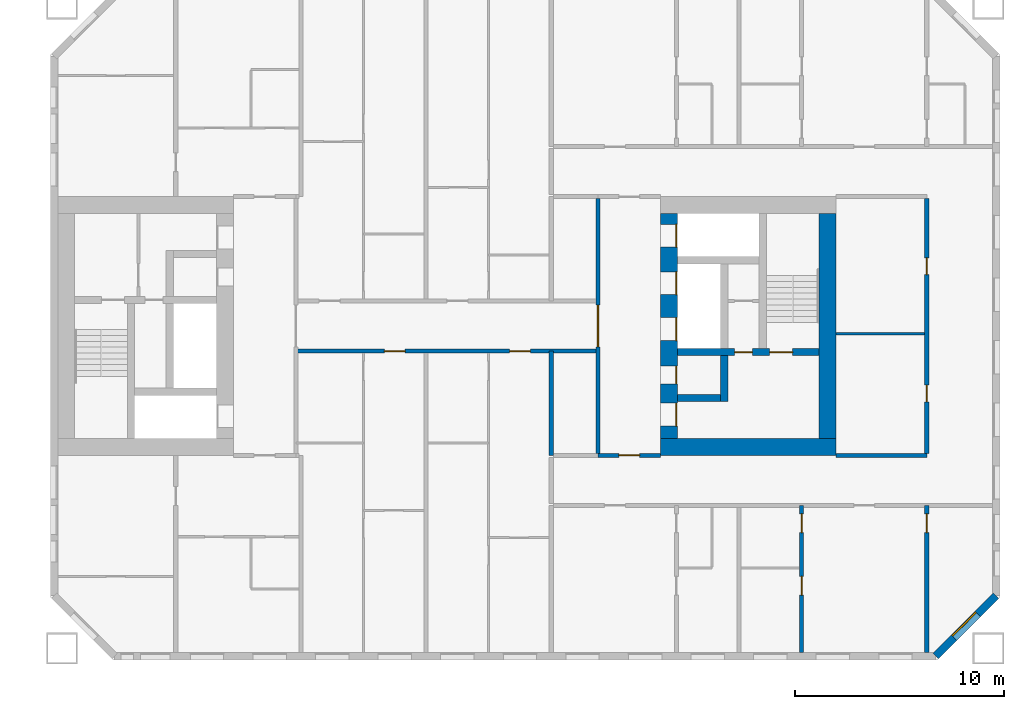
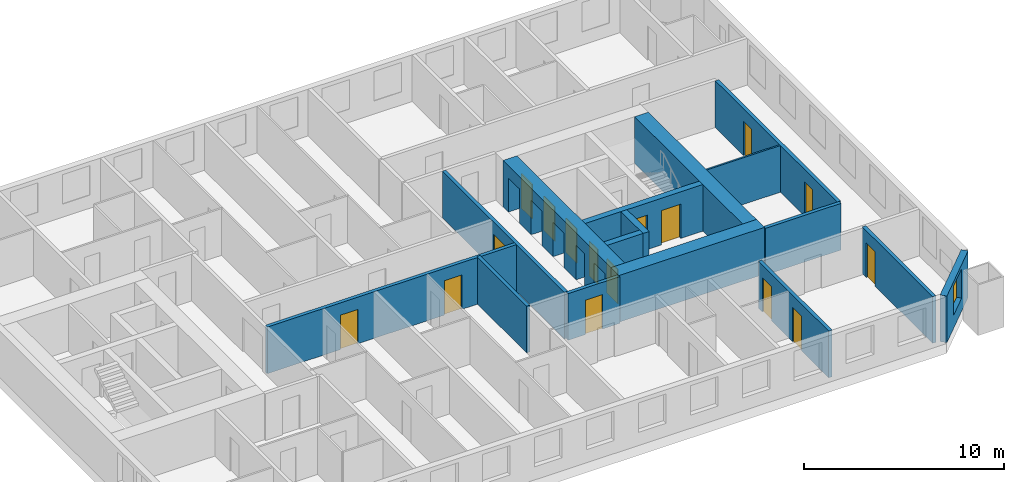
# One storey, part 12 of 17: 16 doors, 16 walls, 1 window, 17 openings.
"""IFC4 building model written with IfcOpenShell, lengths in metres."""

from ifc_helpers import new_model, si_unit, direction, frame, frame_2d, origin, place, context, subcontext, project, spatial, rectangle, extrude, material, layer, layer_set, type_object, element, fill, save


model = new_model("IFC4")

# Units and contexts
model_context = context("Model", 3, precision=1e-05, world=origin(), true_north=direction((0.0, 1.0)))
body_context = subcontext(model_context, "Body", "Model", "MODEL_VIEW")
ifc_project = project(units=[si_unit("LENGTHUNIT", "METRE"), si_unit("AREAUNIT", "SQUARE_METRE"), si_unit("VOLUMEUNIT", "CUBIC_METRE"), si_unit("PLANEANGLEUNIT", "RADIAN"), si_unit("MASSUNIT", "GRAM", prefix="KILO")], contexts=[model_context])

# Site, building, storey
site_placement = place(None, origin())
site = spatial("IfcSite", under=ifc_project, at=site_placement, CompositionType="ELEMENT")
building_placement = place(site_placement, origin())
building = spatial("IfcBuilding", under=site, at=building_placement, Name="Tuart Gate Housing", CompositionType="ELEMENT")
storey_placement = place(building_placement, frame((0.0, 0.0, 44.300048828125)))
storey = spatial("IfcBuildingStorey", under=building, at=storey_placement, Name="L11", CompositionType="ELEMENT", Elevation=44.300048828125)

# Wall, opening, window
ifc_material_1 = material(Name="Brick", Category="masonry")
ifc_layer_1 = layer(ifc_material_1, 0.360107421875)
ifc_layer_set_1 = layer_set([ifc_layer_1], Name="Brick pier and spandrel wall 360")
wall_type_1 = type_object("IfcWallType", Name="Brick pier and spandrel wall 360", PredefinedType="STANDARD", material=ifc_layer_set_1)
wall_1_placement = place(storey_placement, frame((173.42529296875, 54.179931640625, 0.0), z_axis=(0.0, 0.0, 1.0), x_axis=(0.707106781187, 0.707106781187, 0.0)))
wall_1 = element("IfcWall", 1, at=wall_1_placement, inside=storey, type_object=wall_type_1, Name="External wall B-SE L11", PredefinedType="STANDARD", context=body_context, shape_type="SweptSolid", body=[
    extrude(rectangle(XDim=4.09375, YDim=0.360107421875, at=frame_2d((2.046875, 0.0))), origin(), (0.0, 0.0, 1.0), 2.849853515625),
])
opening_1_placement = place(wall_1_placement, frame((1.2470703125, 0.0, 0.800048828125)))
opening_1 = element("IfcOpeningElement", 2, at=opening_1_placement, cuts=wall_1, Name="Opening W1", PredefinedType="OPENING", context=body_context, shape_type="SweptSolid", body=[
    extrude(rectangle(XDim=1.60009765625, YDim=1.800048828125, at=frame_2d((0.800048828125, 0.89990234375))), frame((0.0, 0.18994140625, 0.0), z_axis=(0.0, -1.0, 0.0), x_axis=(1.0, 0.0, 0.0)), (0.0, 0.0, 1.0), 0.380126953125),
])
ifc_material_2 = material(Name="Aluminium frame with clear glass", Category="aluminium")
window_type = type_object("IfcWindowType", Name="Punched window 1600 x 1800", PartitioningType="SINGLE_PANEL", PredefinedType="WINDOW", material=ifc_material_2)
window_placement = place(opening_1_placement, origin())
window = element("IfcWindow", 3, at=window_placement, inside=storey, type_object=window_type, Name="Window W1", OverallHeight=1.800048828125, OverallWidth=1.60009765625, PartitioningType="SINGLE_PANEL", PredefinedType="WINDOW", context=body_context, shape_type="SweptSolid", body=[
    extrude(rectangle(XDim=1.60009765625, YDim=1.800048828125, at=frame_2d((0.800048828125, 0.89990234375))), frame((0.0, 0.150146484375, 0.0), z_axis=(0.0, -1.0, 0.0), x_axis=(1.0, 0.0, 0.0)), (0.0, 0.0, 1.0), 0.06005859375),
])
fill(opening_1, window)

# Wall, openings, doors
ifc_material_3 = material(Name="Concrete C60", Category="concrete")
ifc_layer_2 = layer(ifc_material_3, 0.35009765625)
ifc_layer_set_2 = layer_set([ifc_layer_2], Name="Core wall 350 C60")
wall_type_2 = type_object("IfcWallType", Name="Core wall 350 C60", PredefinedType="SHEAR", material=ifc_layer_set_2)
wall_2_placement = place(storey_placement, frame((161.0400390625, 68.75, 0.0), z_axis=(0.0, 0.0, 1.0), x_axis=(1.0, 0.0, 0.0)))
wall_2 = element("IfcWall", 4, at=wall_2_placement, inside=storey, type_object=wall_type_2, Name="Core wall BK.3", PredefinedType="SHEAR", context=body_context, shape_type="SweptSolid", body=[
    extrude(rectangle(XDim=6.800048828125, YDim=0.35009765625, at=frame_2d((3.39990234375, 0.0))), origin(), (0.0, 0.0, 1.0), 2.849853515625),
])
opening_2_placement = place(wall_2_placement, frame((4.425048828125, 0.0, 0.0)))
opening_2 = element("IfcOpeningElement", 5, at=opening_2_placement, cuts=wall_2, Name="Opening D693", PredefinedType="OPENING", context=body_context, shape_type="SweptSolid", body=[
    extrude(rectangle(XDim=1.10009765625, YDim=2.10009765625, at=frame_2d((0.550048828125, 1.050048828125))), frame((0.0, 0.18505859375, 0.0), z_axis=(0.0, -1.0, 0.0), x_axis=(1.0, 0.0, 0.0)), (0.0, 0.0, 1.0), 0.3701171875),
])
opening_3_placement = place(wall_2_placement, frame((2.75, 0.0, 0.0)))
opening_3 = element("IfcOpeningElement", 6, at=opening_3_placement, cuts=wall_2, Name="Opening D692", PredefinedType="OPENING", context=body_context, shape_type="SweptSolid", body=[
    extrude(rectangle(XDim=0.85009765625, YDim=2.10009765625, at=frame_2d((0.425048828125, 1.050048828125))), frame((0.0, 0.18505859375, 0.0), z_axis=(0.0, -1.0, 0.0), x_axis=(1.0, 0.0, 0.0)), (0.0, 0.0, 1.0), 0.3701171875),
])
ifc_material_4 = material(Name="Steel fire door", Category="steel")
door_type_1 = type_object("IfcDoorType", Name="Riser door 850 x 2100", OperationType="SINGLE_SWING_LEFT", PredefinedType="DOOR", material=ifc_material_4)
door_1_placement = place(opening_3_placement, origin())
door_1 = element("IfcDoor", 7, at=door_1_placement, inside=storey, type_object=door_type_1, Name="Service room door BK.W1", OperationType="SINGLE_SWING_LEFT", OverallHeight=2.10009765625, OverallWidth=0.85009765625, PredefinedType="DOOR", context=body_context, shape_type="SweptSolid", body=[
    extrude(rectangle(XDim=0.85009765625, YDim=2.10009765625, at=frame_2d((0.425048828125, 1.050048828125))), frame((0.0, 0.02490234375, 0.0), z_axis=(0.0, -1.0, 0.0), x_axis=(1.0, 0.0, 0.0)), (0.0, 0.0, 1.0), 0.050048828125),
])
fill(opening_3, door_1)
ifc_material_5 = material(Name="Steel fire door", Category="steel")
door_type_2 = type_object("IfcDoorType", Name="Stair door 1100 x 2100", OperationType="SINGLE_SWING_LEFT", PredefinedType="DOOR", material=ifc_material_5)
door_2_placement = place(opening_2_placement, origin())
door_2 = element("IfcDoor", 8, at=door_2_placement, inside=storey, type_object=door_type_2, Name="Stair door BK.SD", OperationType="SINGLE_SWING_LEFT", OverallHeight=2.10009765625, OverallWidth=1.10009765625, PredefinedType="DOOR", context=body_context, shape_type="SweptSolid", body=[
    extrude(rectangle(XDim=1.10009765625, YDim=2.10009765625, at=frame_2d((0.550048828125, 1.050048828125))), frame((0.0, 0.02490234375, 0.0), z_axis=(0.0, -1.0, 0.0), x_axis=(1.0, 0.0, 0.0)), (0.0, 0.0, 1.0), 0.050048828125),
])
fill(opening_2, door_2)

# Walls
wall_3_placement = place(storey_placement, frame((161.0400390625, 66.550048828125, 0.0), z_axis=(0.0, 0.0, 1.0), x_axis=(1.0, 0.0, 0.0)))
element("IfcWall", 9, at=wall_3_placement, inside=storey, type_object=wall_type_2, Name="Core wall BK.4", PredefinedType="SHEAR", context=body_context, shape_type="SweptSolid", body=[
    extrude(rectangle(XDim=2.074951171875, YDim=0.35009765625, at=frame_2d((1.03759765625, 0.0))), origin(), (0.0, 0.0, 1.0), 2.849853515625),
])
wall_4_placement = place(storey_placement, frame((163.2900390625, 68.574951171875, 0.0), z_axis=(0.0, 0.0, 1.0), x_axis=(0.0, -1.0, 0.0)))
element("IfcWall", 10, at=wall_4_placement, inside=storey, type_object=wall_type_2, Name="Core wall BK.6", PredefinedType="SHEAR", context=body_context, shape_type="SweptSolid", body=[
    extrude(rectangle(XDim=2.199951171875, YDim=0.35009765625, at=frame_2d((1.10009765625, 0.0))), origin(), (0.0, 0.0, 1.0), 2.849853515625),
])

# Wall, openings, doors
ifc_material_6 = material(Name="Concrete C60", Category="concrete")
ifc_layer_3 = layer(ifc_material_6, 0.800048828125)
ifc_layer_set_3 = layer_set([ifc_layer_3], Name="Core wall 800 C60")
wall_type_3 = type_object("IfcWallType", Name="Core wall 800 C60", PredefinedType="SHEAR", material=ifc_layer_set_3)
wall_5_placement = place(storey_placement, frame((160.639892578125, 75.39990234375, 0.0), z_axis=(0.0, 0.0, 1.0), x_axis=(0.0, -1.0, 0.0)))
wall_5 = element("IfcWall", 11, at=wall_5_placement, inside=storey, type_object=wall_type_3, Name="Core wall BK front", PredefinedType="SHEAR", context=body_context, shape_type="SweptSolid", body=[
    extrude(rectangle(XDim=10.7998046875, YDim=0.800048828125, at=frame_2d((5.39990234375, 0.0))), origin(), (0.0, 0.0, 1.0), 2.849853515625),
])
opening_4_placement = place(wall_5_placement, frame((0.52490234375, 0.0, 0.0)))
opening_4 = element("IfcOpeningElement", 12, at=opening_4_placement, cuts=wall_5, Name="Opening LD-FB2", PredefinedType="OPENING", context=body_context, shape_type="SweptSolid", body=[
    extrude(rectangle(XDim=1.10009765625, YDim=2.10009765625, at=frame_2d((0.550048828125, 1.050048828125))), frame((0.0, 0.409912109375, 0.0), z_axis=(0.0, -1.0, 0.0), x_axis=(1.0, 0.0, 0.0)), (0.0, 0.0, 1.0), 0.820068359375),
])
opening_5_placement = place(wall_5_placement, frame((2.800048828125, 0.0, 0.0)))
opening_5 = element("IfcOpeningElement", 13, at=opening_5_placement, cuts=wall_5, Name="Opening LD-LB3", PredefinedType="OPENING", context=body_context, shape_type="SweptSolid", body=[
    extrude(rectangle(XDim=1.10009765625, YDim=2.10009765625, at=frame_2d((0.550048828125, 1.050048828125))), frame((0.0, 0.409912109375, 0.0), z_axis=(0.0, -1.0, 0.0), x_axis=(1.0, 0.0, 0.0)), (0.0, 0.0, 1.0), 0.820068359375),
])
opening_6_placement = place(wall_5_placement, frame((5.0, 0.0, 0.0)))
opening_6 = element("IfcOpeningElement", 14, at=opening_6_placement, cuts=wall_5, Name="Opening LD-LB4", PredefinedType="OPENING", context=body_context, shape_type="SweptSolid", body=[
    extrude(rectangle(XDim=1.10009765625, YDim=2.10009765625, at=frame_2d((0.550048828125, 1.050048828125))), frame((0.0, 0.409912109375, 0.0), z_axis=(0.0, -1.0, 0.0), x_axis=(1.0, 0.0, 0.0)), (0.0, 0.0, 1.0), 0.820068359375),
])
opening_7_placement = place(wall_5_placement, frame((9.10009765625, 0.0, 0.0)))
opening_7 = element("IfcOpeningElement", 15, at=opening_7_placement, cuts=wall_5, Name="Opening D686", PredefinedType="OPENING", context=body_context, shape_type="SweptSolid", body=[
    extrude(rectangle(XDim=1.10009765625, YDim=2.10009765625, at=frame_2d((0.550048828125, 1.050048828125))), frame((0.0, 0.409912109375, 0.0), z_axis=(0.0, -1.0, 0.0), x_axis=(1.0, 0.0, 0.0)), (0.0, 0.0, 1.0), 0.820068359375),
])
opening_8_placement = place(wall_5_placement, frame((7.324951171875, 0.0, 0.0)))
opening_8 = element("IfcOpeningElement", 16, at=opening_8_placement, cuts=wall_5, Name="Opening D687", PredefinedType="OPENING", context=body_context, shape_type="SweptSolid", body=[
    extrude(rectangle(XDim=0.85009765625, YDim=2.10009765625, at=frame_2d((0.425048828125, 1.050048828125))), frame((0.0, 0.409912109375, 0.0), z_axis=(0.0, -1.0, 0.0), x_axis=(1.0, 0.0, 0.0)), (0.0, 0.0, 1.0), 0.820068359375),
])
ifc_material_7 = material(Name="Stainless steel", Category="steel")
door_type_3 = type_object("IfcDoorType", Name="Landing door 1100 x 2100", OperationType="DOUBLE_DOOR_SLIDING", PredefinedType="DOOR", material=ifc_material_7)
door_3_placement = place(opening_4_placement, origin())
door_3 = element("IfcDoor", 17, at=door_3_placement, inside=storey, type_object=door_type_3, Name="Lift landing door FB2", OperationType="DOUBLE_DOOR_SLIDING", OverallHeight=2.10009765625, OverallWidth=1.10009765625, PredefinedType="DOOR", context=body_context, shape_type="SweptSolid", body=[
    extrude(rectangle(XDim=1.10009765625, YDim=2.10009765625, at=frame_2d((0.550048828125, 1.050048828125))), frame((0.0, 0.38525390625, 0.0), z_axis=(0.0, -1.0, 0.0), x_axis=(1.0, 0.0, 0.0)), (0.0, 0.0, 1.0), 0.050048828125),
])
fill(opening_4, door_3)
door_4_placement = place(opening_5_placement, origin())
door_4 = element("IfcDoor", 18, at=door_4_placement, inside=storey, type_object=door_type_3, Name="Lift landing door LB3", OperationType="DOUBLE_DOOR_SLIDING", OverallHeight=2.10009765625, OverallWidth=1.10009765625, PredefinedType="DOOR", context=body_context, shape_type="SweptSolid", body=[
    extrude(rectangle(XDim=1.10009765625, YDim=2.10009765625, at=frame_2d((0.550048828125, 1.050048828125))), frame((0.0, 0.38525390625, 0.0), z_axis=(0.0, -1.0, 0.0), x_axis=(1.0, 0.0, 0.0)), (0.0, 0.0, 1.0), 0.050048828125),
])
fill(opening_5, door_4)
door_5_placement = place(opening_6_placement, origin())
door_5 = element("IfcDoor", 19, at=door_5_placement, inside=storey, type_object=door_type_3, Name="Lift landing door LB4", OperationType="DOUBLE_DOOR_SLIDING", OverallHeight=2.10009765625, OverallWidth=1.10009765625, PredefinedType="DOOR", context=body_context, shape_type="SweptSolid", body=[
    extrude(rectangle(XDim=1.10009765625, YDim=2.10009765625, at=frame_2d((0.550048828125, 1.050048828125))), frame((0.0, 0.38525390625, 0.0), z_axis=(0.0, -1.0, 0.0), x_axis=(1.0, 0.0, 0.0)), (0.0, 0.0, 1.0), 0.050048828125),
])
fill(opening_6, door_5)
ifc_material_8 = material(Name="Steel fire door", Category="steel")
door_type_4 = type_object("IfcDoorType", Name="Lobby door 1100 x 2100", OperationType="SINGLE_SWING_LEFT", PredefinedType="DOOR", material=ifc_material_8)
door_6_placement = place(opening_7_placement, origin())
door_6 = element("IfcDoor", 20, at=door_6_placement, inside=storey, type_object=door_type_4, Name="Lobby entry door BK.EN", OperationType="SINGLE_SWING_LEFT", OverallHeight=2.10009765625, OverallWidth=1.10009765625, PredefinedType="DOOR", context=body_context, shape_type="SweptSolid", body=[
    extrude(rectangle(XDim=1.10009765625, YDim=2.10009765625, at=frame_2d((0.550048828125, 1.050048828125))), frame((0.0, 0.38525390625, 0.0), z_axis=(0.0, -1.0, 0.0), x_axis=(1.0, 0.0, 0.0)), (0.0, 0.0, 1.0), 0.050048828125),
])
fill(opening_7, door_6)
ifc_material_9 = material(Name="Steel fire door", Category="steel")
door_type_5 = type_object("IfcDoorType", Name="Service door 850 x 2100", OperationType="SINGLE_SWING_LEFT", PredefinedType="DOOR", material=ifc_material_9)
door_7_placement = place(opening_8_placement, origin())
door_7 = element("IfcDoor", 21, at=door_7_placement, inside=storey, type_object=door_type_5, Name="Service room door BK.T1", OperationType="SINGLE_SWING_LEFT", OverallHeight=2.10009765625, OverallWidth=0.85009765625, PredefinedType="DOOR", context=body_context, shape_type="SweptSolid", body=[
    extrude(rectangle(XDim=0.85009765625, YDim=2.10009765625, at=frame_2d((0.425048828125, 1.050048828125))), frame((0.0, 0.38525390625, 0.0), z_axis=(0.0, -1.0, 0.0), x_axis=(1.0, 0.0, 0.0)), (0.0, 0.0, 1.0), 0.050048828125),
])
fill(opening_8, door_7)

# Walls
wall_6_placement = place(storey_placement, frame((168.239990234375, 75.39990234375, 0.0), z_axis=(0.0, 0.0, 1.0), x_axis=(0.0, -1.0, 0.0)))
element("IfcWall", 22, at=wall_6_placement, inside=storey, type_object=wall_type_3, Name="Core wall BK back", PredefinedType="SHEAR", context=body_context, shape_type="SweptSolid", body=[
    extrude(rectangle(XDim=10.7998046875, YDim=0.800048828125, at=frame_2d((5.39990234375, 0.0))), origin(), (0.0, 0.0, 1.0), 2.849853515625),
])
wall_7_placement = place(storey_placement, frame((160.239990234375, 64.199951171875, 0.0), z_axis=(0.0, 0.0, 1.0), x_axis=(1.0, 0.0, 0.0)))
element("IfcWall", 23, at=wall_7_placement, inside=storey, type_object=wall_type_3, Name="Core wall BK north", PredefinedType="SHEAR", context=body_context, shape_type="SweptSolid", body=[
    extrude(rectangle(XDim=8.39990234375, YDim=0.800048828125, at=frame_2d((4.199951171875, 0.0))), origin(), (0.0, 0.0, 1.0), 2.849853515625),
])
ifc_material_10 = material(Name="Concrete masonry 15 MPa", Category="masonry")
ifc_layer_4 = layer(ifc_material_10, 0.199951171875)
ifc_layer_set_4 = layer_set([ifc_layer_4], Name="Corridor wall masonry 200")
wall_type_4 = type_object("IfcWallType", Name="Corridor wall masonry 200", PredefinedType="PARTITIONING", material=ifc_layer_set_4)
wall_8_placement = place(storey_placement, frame((168.639892578125, 63.800048828125, 0.0), z_axis=(0.0, 0.0, 1.0), x_axis=(1.0, 0.0, 0.0)))
element("IfcWall", 24, at=wall_8_placement, inside=storey, type_object=wall_type_4, Name="Corridor wall masonry 200", PredefinedType="PARTITIONING", context=body_context, shape_type="SweptSolid", body=[
    extrude(rectangle(XDim=4.360107421875, YDim=0.199951171875, at=frame_2d((2.18017578125, 0.0))), origin(), (0.0, 0.0, 1.0), 2.849853515625),
])

# Wall, openings, doors
wall_9_placement = place(storey_placement, frame((142.760009765625, 68.800048828125, 0.0), z_axis=(0.0, 0.0, 1.0), x_axis=(1.0, 0.0, 0.0)))
wall_9 = element("IfcWall", 25, at=wall_9_placement, inside=storey, type_object=wall_type_4, Name="Corridor wall masonry 200", PredefinedType="PARTITIONING", context=body_context, shape_type="SweptSolid", body=[
    extrude(rectangle(XDim=14.47998046875, YDim=0.199951171875, at=frame_2d((7.239990234375, 0.0))), origin(), (0.0, 0.0, 1.0), 2.849853515625),
])
opening_9_placement = place(wall_9_placement, frame((4.239990234375, 0.0, 0.0)))
opening_9 = element("IfcOpeningElement", 26, at=opening_9_placement, cuts=wall_9, Name="Opening D690", PredefinedType="OPENING", context=body_context, shape_type="SweptSolid", body=[
    extrude(rectangle(XDim=1.0, YDim=2.10009765625, at=frame_2d((0.5, 1.050048828125))), frame((0.0, 0.10986328125, 0.0), z_axis=(0.0, -1.0, 0.0), x_axis=(1.0, 0.0, 0.0)), (0.0, 0.0, 1.0), 0.219970703125),
])
opening_10_placement = place(wall_9_placement, frame((10.239990234375, 0.0, 0.0)))
opening_10 = element("IfcOpeningElement", 27, at=opening_10_placement, cuts=wall_9, Name="Opening D691", PredefinedType="OPENING", context=body_context, shape_type="SweptSolid", body=[
    extrude(rectangle(XDim=1.0, YDim=2.10009765625, at=frame_2d((0.5, 1.050048828125))), frame((0.0, 0.10986328125, 0.0), z_axis=(0.0, -1.0, 0.0), x_axis=(1.0, 0.0, 0.0)), (0.0, 0.0, 1.0), 0.219970703125),
])
ifc_material_11 = material(Name="Timber door leaf in steel frame", Category="steel")
door_type_6 = type_object("IfcDoorType", Name="Flat entrance door 1000 RH", OperationType="SINGLE_SWING_RIGHT", PredefinedType="DOOR", material=ifc_material_11)
door_8_placement = place(opening_9_placement, frame((1.0, 0.0, 0.0), z_axis=(0.0, 0.0, 1.0), x_axis=(-1.0, 0.0, 0.0)))
door_8 = element("IfcDoor", 28, at=door_8_placement, inside=storey, type_object=door_type_6, Name="Flat entrance door", OperationType="SINGLE_SWING_RIGHT", OverallHeight=2.10009765625, OverallWidth=1.0, PredefinedType="DOOR", context=body_context, shape_type="SweptSolid", body=[
    extrude(rectangle(XDim=1.0, YDim=2.10009765625, at=frame_2d((0.5, 1.050048828125))), frame((0.0, 0.025146484375, 0.0), z_axis=(0.0, -1.0, 0.0), x_axis=(1.0, 0.0, 0.0)), (0.0, 0.0, 1.0), 0.050048828125),
])
fill(opening_9, door_8)
door_9_placement = place(opening_10_placement, frame((1.0, 0.0, 0.0), z_axis=(0.0, 0.0, 1.0), x_axis=(-1.0, 0.0, 0.0)))
door_9 = element("IfcDoor", 29, at=door_9_placement, inside=storey, type_object=door_type_6, Name="Flat entrance door", OperationType="SINGLE_SWING_RIGHT", OverallHeight=2.10009765625, OverallWidth=1.0, PredefinedType="DOOR", context=body_context, shape_type="SweptSolid", body=[
    extrude(rectangle(XDim=1.0, YDim=2.10009765625, at=frame_2d((0.5, 1.050048828125))), frame((0.0, 0.025146484375, 0.0), z_axis=(0.0, -1.0, 0.0), x_axis=(1.0, 0.0, 0.0)), (0.0, 0.0, 1.0), 0.050048828125),
])
fill(opening_10, door_9)

wall_10_placement = place(storey_placement, frame((173.0, 63.89990234375, 0.0), z_axis=(0.0, 0.0, 1.0), x_axis=(0.0, 1.0, 0.0)))
wall_10 = element("IfcWall", 30, at=wall_10_placement, inside=storey, type_object=wall_type_4, Name="Corridor wall masonry 200", PredefinedType="PARTITIONING", context=body_context, shape_type="SweptSolid", body=[
    extrude(rectangle(XDim=12.2001953125, YDim=0.199951171875, at=frame_2d((6.10009765625, 0.0))), origin(), (0.0, 0.0, 1.0), 2.849853515625),
])
opening_11_placement = place(wall_10_placement, frame((2.465087890625, 0.0, 0.0)))
opening_11 = element("IfcOpeningElement", 31, at=opening_11_placement, cuts=wall_10, Name="Opening D688", PredefinedType="OPENING", context=body_context, shape_type="SweptSolid", body=[
    extrude(rectangle(XDim=0.800048828125, YDim=2.10009765625, at=frame_2d((0.39990234375, 1.050048828125))), frame((0.0, 0.10986328125, 0.0), z_axis=(0.0, -1.0, 0.0), x_axis=(1.0, 0.0, 0.0)), (0.0, 0.0, 1.0), 0.219970703125),
])
opening_12_placement = place(wall_10_placement, frame((8.56494140625, 0.0, 0.0)))
opening_12 = element("IfcOpeningElement", 32, at=opening_12_placement, cuts=wall_10, Name="Opening D689", PredefinedType="OPENING", context=body_context, shape_type="SweptSolid", body=[
    extrude(rectangle(XDim=0.800048828125, YDim=2.10009765625, at=frame_2d((0.39990234375, 1.050048828125))), frame((0.0, 0.10986328125, 0.0), z_axis=(0.0, -1.0, 0.0), x_axis=(1.0, 0.0, 0.0)), (0.0, 0.0, 1.0), 0.219970703125),
])
ifc_material_12 = material(Name="Timber door leaf in steel frame", Category="steel")
door_type_7 = type_object("IfcDoorType", Name="Store door 800", OperationType="SINGLE_SWING_LEFT", PredefinedType="DOOR", material=ifc_material_12)
door_10_placement = place(opening_12_placement, origin())
door_10 = element("IfcDoor", 33, at=door_10_placement, inside=storey, type_object=door_type_7, Name="Store door", OperationType="SINGLE_SWING_LEFT", OverallHeight=2.10009765625, OverallWidth=0.800048828125, PredefinedType="DOOR", context=body_context, shape_type="SweptSolid", body=[
    extrude(rectangle(XDim=0.800048828125, YDim=2.10009765625, at=frame_2d((0.39990234375, 1.050048828125))), frame((0.0, 0.02490234375, 0.0), z_axis=(0.0, -1.0, 0.0), x_axis=(1.0, 0.0, 0.0)), (0.0, 0.0, 1.0), 0.050048828125),
])
fill(opening_12, door_10)
ifc_material_13 = material(Name="Timber door leaf in steel frame", Category="steel")
door_type_8 = type_object("IfcDoorType", Name="Store door 800 RH", OperationType="SINGLE_SWING_RIGHT", PredefinedType="DOOR", material=ifc_material_13)
door_11_placement = place(opening_11_placement, origin())
door_11 = element("IfcDoor", 34, at=door_11_placement, inside=storey, type_object=door_type_8, Name="Store door", OperationType="SINGLE_SWING_RIGHT", OverallHeight=2.10009765625, OverallWidth=0.800048828125, PredefinedType="DOOR", context=body_context, shape_type="SweptSolid", body=[
    extrude(rectangle(XDim=0.800048828125, YDim=2.10009765625, at=frame_2d((0.39990234375, 1.050048828125))), frame((0.0, 0.02490234375, 0.0), z_axis=(0.0, -1.0, 0.0), x_axis=(1.0, 0.0, 0.0)), (0.0, 0.0, 1.0), 0.050048828125),
])
fill(opening_11, door_11)

# Wall, opening, door
ifc_material_14 = material(Name="Concrete masonry 15 MPa", Category="masonry")
ifc_layer_5 = layer(ifc_material_14, 0.199951171875)
ifc_layer_set_5 = layer_set([ifc_layer_5], Name="Enclosure wall masonry 200")
wall_type_5 = type_object("IfcWallType", Name="Enclosure wall masonry 200", PredefinedType="PARTITIONING", material=ifc_layer_set_5)
wall_11_placement = place(storey_placement, frame((157.239990234375, 63.800048828125, 0.0), z_axis=(0.0, 0.0, 1.0), x_axis=(1.0, 0.0, 0.0)))
wall_11 = element("IfcWall", 35, at=wall_11_placement, inside=storey, type_object=wall_type_5, Name="Enclosure wall masonry 200", PredefinedType="PARTITIONING", context=body_context, shape_type="SweptSolid", body=[
    extrude(rectangle(XDim=3.0, YDim=0.199951171875, at=frame_2d((1.5, 0.0))), origin(), (0.0, 0.0, 1.0), 2.849853515625),
])
opening_13_placement = place(wall_11_placement, frame((1.0, 0.0, 0.0)))
opening_13 = element("IfcOpeningElement", 36, at=opening_13_placement, cuts=wall_11, Name="Opening D695", PredefinedType="OPENING", context=body_context, shape_type="SweptSolid", body=[
    extrude(rectangle(XDim=1.0, YDim=2.10009765625, at=frame_2d((0.5, 1.050048828125))), frame((0.0, 0.10986328125, 0.0), z_axis=(0.0, -1.0, 0.0), x_axis=(1.0, 0.0, 0.0)), (0.0, 0.0, 1.0), 0.219970703125),
])
ifc_material_15 = material(Name="Timber door leaf in steel frame", Category="steel")
door_type_9 = type_object("IfcDoorType", Name="Fire door 1000 RH", OperationType="SINGLE_SWING_RIGHT", PredefinedType="DOOR", material=ifc_material_15)
door_12_placement = place(opening_13_placement, frame((1.0, 0.0, 0.0), z_axis=(0.0, 0.0, 1.0), x_axis=(-1.0, 0.0, 0.0)))
door_12 = element("IfcDoor", 37, at=door_12_placement, inside=storey, type_object=door_type_9, Name="Fire door", OperationType="SINGLE_SWING_RIGHT", OverallHeight=2.10009765625, OverallWidth=1.0, PredefinedType="DOOR", context=body_context, shape_type="SweptSolid", body=[
    extrude(rectangle(XDim=1.0, YDim=2.10009765625, at=frame_2d((0.5, 1.050048828125))), frame((0.0, 0.025146484375, 0.0), z_axis=(0.0, -1.0, 0.0), x_axis=(1.0, 0.0, 0.0)), (0.0, 0.0, 1.0), 0.050048828125),
])
fill(opening_13, door_12)

ifc_material_16 = material(Name="Plasterboard partition")
ifc_layer_6 = layer(ifc_material_16, 0.199951171875)
ifc_layer_set_6 = layer_set([ifc_layer_6], Name="Lobby wall 200")
wall_type_6 = type_object("IfcWallType", Name="Lobby wall 200", PredefinedType="PARTITIONING", material=ifc_layer_set_6)
wall_12_placement = place(storey_placement, frame((157.239990234375, 63.89990234375, 0.0), z_axis=(0.0, 0.0, 1.0), x_axis=(0.0, 1.0, 0.0)))
wall_12 = element("IfcWall", 38, at=wall_12_placement, inside=storey, type_object=wall_type_6, Name="Lift lobby wall BK", PredefinedType="PARTITIONING", context=body_context, shape_type="SweptSolid", body=[
    extrude(rectangle(XDim=12.2001953125, YDim=0.199951171875, at=frame_2d((6.10009765625, 0.0))), origin(), (0.0, 0.0, 1.0), 2.849853515625),
])
opening_14_placement = place(wall_12_placement, frame((5.10009765625, 0.0, 0.0)))
opening_14 = element("IfcOpeningElement", 39, at=opening_14_placement, cuts=wall_12, Name="Opening D685", PredefinedType="OPENING", context=body_context, shape_type="SweptSolid", body=[
    extrude(rectangle(XDim=2.0, YDim=2.10009765625, at=frame_2d((1.0, 1.050048828125))), frame((0.0, 0.10986328125, 0.0), z_axis=(0.0, -1.0, 0.0), x_axis=(1.0, 0.0, 0.0)), (0.0, 0.0, 1.0), 0.219970703125),
])
ifc_material_17 = material(Name="Steel fire door", Category="steel")
door_type_10 = type_object("IfcDoorType", Name="Smoke door 2000 x 2100", OperationType="DOUBLE_DOOR_SINGLE_SWING", PredefinedType="DOOR", material=ifc_material_17)
door_13_placement = place(opening_14_placement, frame((2.0, 0.0, 0.0), z_axis=(0.0, 0.0, 1.0), x_axis=(-1.0, 0.0, 0.0)))
door_13 = element("IfcDoor", 40, at=door_13_placement, inside=storey, type_object=door_type_10, Name="Lift lobby smoke door BK", OperationType="DOUBLE_DOOR_SINGLE_SWING", OverallHeight=2.10009765625, OverallWidth=2.0, PredefinedType="DOOR", context=body_context, shape_type="SweptSolid", body=[
    extrude(rectangle(XDim=2.0, YDim=2.10009765625, at=frame_2d((1.0, 1.050048828125))), frame((0.0, 0.025146484375, 0.0), z_axis=(0.0, -1.0, 0.0), x_axis=(1.0, 0.0, 0.0)), (0.0, 0.0, 1.0), 0.050048828125),
])
fill(opening_14, door_13)

# Walls
ifc_material_18 = material(Name="Gypsum board on steel studs", Category="steel")
ifc_layer_7 = layer(ifc_material_18, 0.10009765625)
ifc_layer_set_7 = layer_set([ifc_layer_7], Name="Partition 100")
wall_type_7 = type_object("IfcWallType", Name="Partition 100", PredefinedType="PARTITIONING", material=ifc_layer_set_7)
wall_13_placement = place(storey_placement, frame((168.639892578125, 69.6298828125, 0.0), z_axis=(0.0, 0.0, 1.0), x_axis=(1.0, 0.0, 0.0)))
element("IfcWall", 41, at=wall_13_placement, inside=storey, type_object=wall_type_7, Name="Partition 100", PredefinedType="PARTITIONING", context=body_context, shape_type="SweptSolid", body=[
    extrude(rectangle(XDim=4.260009765625, YDim=0.10009765625, at=frame_2d((2.1298828125, 0.0))), origin(), (0.0, 0.0, 1.0), 2.849853515625),
])
ifc_material_19 = material(Name="Concrete C40", Category="concrete")
ifc_layer_8 = layer(ifc_material_19, 0.199951171875)
ifc_layer_set_8 = layer_set([ifc_layer_8], Name="Party wall concrete C40 200")
wall_type_8 = type_object("IfcWallType", Name="Party wall concrete C40 200", PredefinedType="SOLIDWALL", material=ifc_layer_set_8)
wall_14_placement = place(storey_placement, frame((155.0, 63.800048828125, 0.0), z_axis=(0.0, 0.0, 1.0), x_axis=(0.0, 1.0, 0.0)))
element("IfcWall", 42, at=wall_14_placement, inside=storey, type_object=wall_type_8, Name="Party wall concrete C40 200", PredefinedType="SOLIDWALL", context=body_context, shape_type="SweptSolid", body=[
    extrude(rectangle(XDim=5.0, YDim=0.199951171875, at=frame_2d((2.5, 0.0))), origin(), (0.0, 0.0, 1.0), 2.849853515625),
])

# Wall, openings, doors
wall_15_placement = place(storey_placement, frame((167.0, 54.360107421875, 0.0), z_axis=(0.0, 0.0, 1.0), x_axis=(0.0, 1.0, 0.0)))
wall_15 = element("IfcWall", 43, at=wall_15_placement, inside=storey, type_object=wall_type_8, Name="Party wall concrete C40 200", PredefinedType="SOLIDWALL", context=body_context, shape_type="SweptSolid", body=[
    extrude(rectangle(XDim=7.039794921875, YDim=0.199951171875, at=frame_2d((3.52001953125, 0.0))), origin(), (0.0, 0.0, 1.0), 2.849853515625),
])
opening_15_placement = place(wall_15_placement, frame((2.739990234375, 0.0, 0.0)))
opening_15 = element("IfcOpeningElement", 44, at=opening_15_placement, cuts=wall_15, Name="Opening D711", PredefinedType="OPENING", context=body_context, shape_type="SweptSolid", body=[
    extrude(rectangle(XDim=0.89990234375, YDim=2.10009765625, at=frame_2d((0.449951171875, 1.050048828125))), frame((0.0, 0.10986328125, 0.0), z_axis=(0.0, -1.0, 0.0), x_axis=(1.0, 0.0, 0.0)), (0.0, 0.0, 1.0), 0.219970703125),
])
opening_16_placement = place(wall_15_placement, frame((5.739990234375, 0.0, 0.0)))
opening_16 = element("IfcOpeningElement", 45, at=opening_16_placement, cuts=wall_15, Name="Opening D710", PredefinedType="OPENING", context=body_context, shape_type="SweptSolid", body=[
    extrude(rectangle(XDim=0.89990234375, YDim=2.10009765625, at=frame_2d((0.449951171875, 1.050048828125))), frame((0.0, 0.10986328125, 0.0), z_axis=(0.0, -1.0, 0.0), x_axis=(1.0, 0.0, 0.0)), (0.0, 0.0, 1.0), 0.219970703125),
])
ifc_material_20 = material(Name="Timber door leaf in steel frame", Category="steel")
door_type_11 = type_object("IfcDoorType", Name="Bathroom door 900 RH", OperationType="SINGLE_SWING_RIGHT", PredefinedType="DOOR", material=ifc_material_20)
door_14_placement = place(opening_16_placement, origin())
door_14 = element("IfcDoor", 46, at=door_14_placement, inside=storey, type_object=door_type_11, Name="Bathroom door", OperationType="SINGLE_SWING_RIGHT", OverallHeight=2.10009765625, OverallWidth=0.89990234375, PredefinedType="DOOR", context=body_context, shape_type="SweptSolid", body=[
    extrude(rectangle(XDim=0.89990234375, YDim=2.10009765625, at=frame_2d((0.449951171875, 1.050048828125))), frame((0.0, 0.02490234375, 0.0), z_axis=(0.0, -1.0, 0.0), x_axis=(1.0, 0.0, 0.0)), (0.0, 0.0, 1.0), 0.050048828125),
])
fill(opening_16, door_14)
ifc_material_21 = material(Name="Timber door leaf in steel frame", Category="steel")
door_type_12 = type_object("IfcDoorType", Name="Internal door 900 RH", OperationType="SINGLE_SWING_RIGHT", PredefinedType="DOOR", material=ifc_material_21)
door_15_placement = place(opening_15_placement, origin())
door_15 = element("IfcDoor", 47, at=door_15_placement, inside=storey, type_object=door_type_12, Name="Internal door", OperationType="SINGLE_SWING_RIGHT", OverallHeight=2.10009765625, OverallWidth=0.89990234375, PredefinedType="DOOR", context=body_context, shape_type="SweptSolid", body=[
    extrude(rectangle(XDim=0.89990234375, YDim=2.10009765625, at=frame_2d((0.449951171875, 1.050048828125))), frame((0.0, 0.02490234375, 0.0), z_axis=(0.0, -1.0, 0.0), x_axis=(1.0, 0.0, 0.0)), (0.0, 0.0, 1.0), 0.050048828125),
])
fill(opening_15, door_15)

# Wall, opening, door
wall_16_placement = place(storey_placement, frame((173.0, 54.360107421875, 0.0), z_axis=(0.0, 0.0, 1.0), x_axis=(0.0, 1.0, 0.0)))
wall_16 = element("IfcWall", 48, at=wall_16_placement, inside=storey, type_object=wall_type_8, Name="Party wall concrete C40 200", PredefinedType="SOLIDWALL", context=body_context, shape_type="SweptSolid", body=[
    extrude(rectangle(XDim=7.039794921875, YDim=0.199951171875, at=frame_2d((3.52001953125, 0.0))), origin(), (0.0, 0.0, 1.0), 2.849853515625),
])
opening_17_placement = place(wall_16_placement, frame((5.739990234375, 0.0, 0.0)))
opening_17 = element("IfcOpeningElement", 49, at=opening_17_placement, cuts=wall_16, Name="Opening D712", PredefinedType="OPENING", context=body_context, shape_type="SweptSolid", body=[
    extrude(rectangle(XDim=0.89990234375, YDim=2.10009765625, at=frame_2d((0.449951171875, 1.050048828125))), frame((0.0, 0.10986328125, 0.0), z_axis=(0.0, -1.0, 0.0), x_axis=(1.0, 0.0, 0.0)), (0.0, 0.0, 1.0), 0.219970703125),
])
ifc_material_22 = material(Name="Timber door leaf in steel frame", Category="steel")
door_type_13 = type_object("IfcDoorType", Name="Internal door 900", OperationType="SINGLE_SWING_LEFT", PredefinedType="DOOR", material=ifc_material_22)
door_16_placement = place(opening_17_placement, frame((0.89990234375, 0.0, 0.0), z_axis=(0.0, 0.0, 1.0), x_axis=(-1.0, 0.0, 0.0)))
door_16 = element("IfcDoor", 50, at=door_16_placement, inside=storey, type_object=door_type_13, Name="Internal door", OperationType="SINGLE_SWING_LEFT", OverallHeight=2.10009765625, OverallWidth=0.89990234375, PredefinedType="DOOR", context=body_context, shape_type="SweptSolid", body=[
    extrude(rectangle(XDim=0.89990234375, YDim=2.10009765625, at=frame_2d((0.449951171875, 1.050048828125))), frame((0.0, 0.025146484375, 0.0), z_axis=(0.0, -1.0, 0.0), x_axis=(1.0, 0.0, 0.0)), (0.0, 0.0, 1.0), 0.050048828125),
])
fill(opening_17, door_16)

save(model, "model.ifc")
